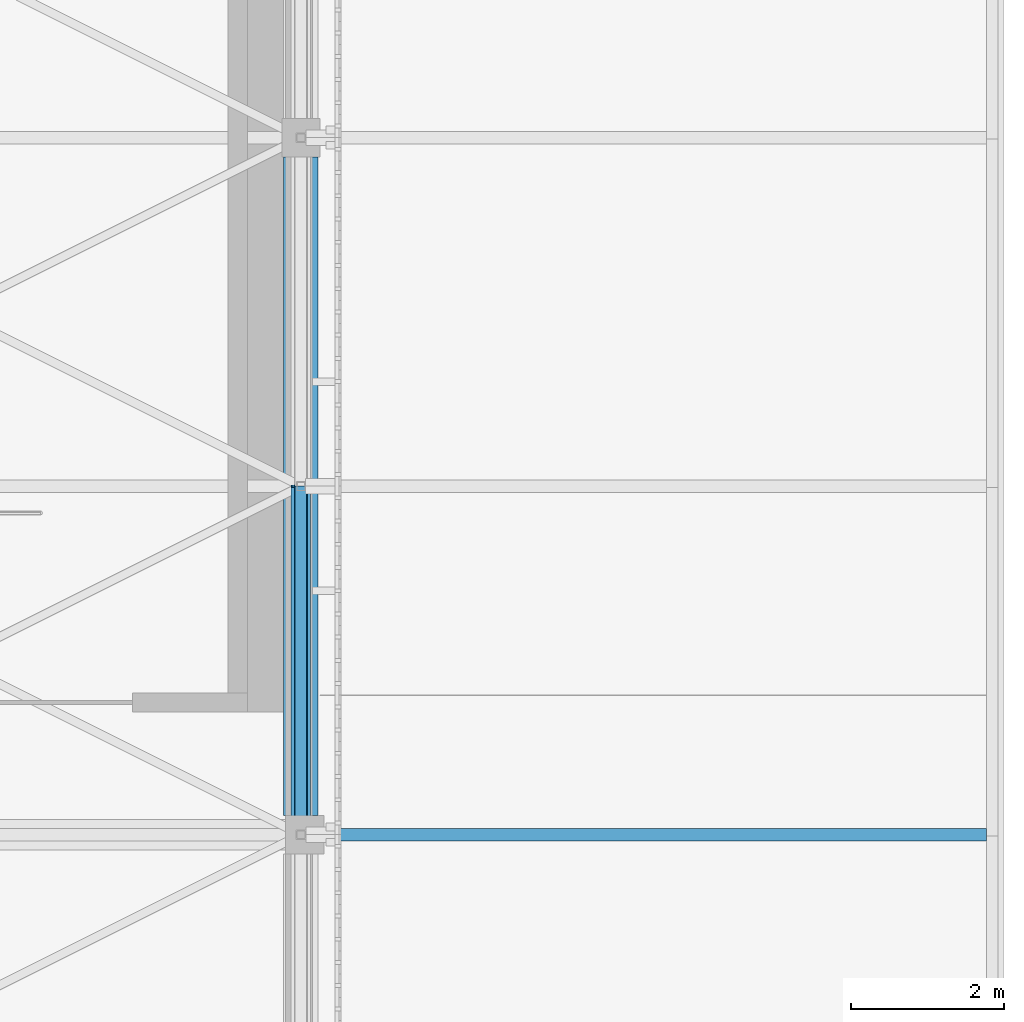
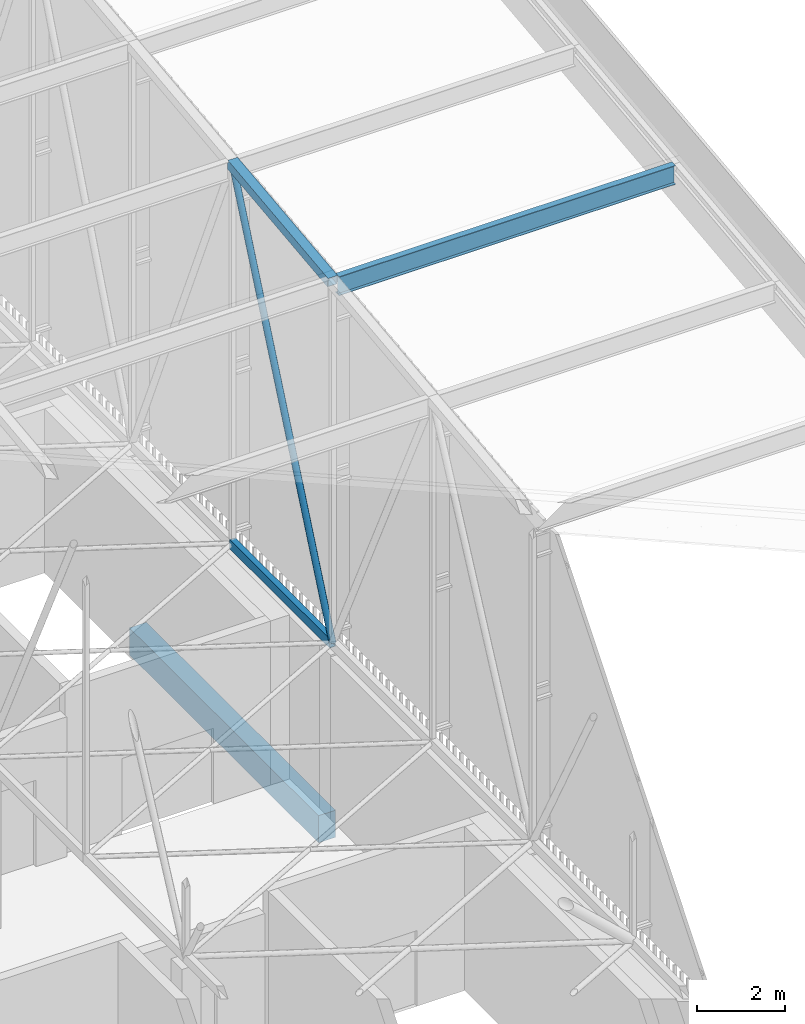
# One storey, part 346 of 500: 4 members, 1 beam.
"""IFC4 building model written with IfcOpenShell, lengths in metres."""

from ifc_helpers import new_model, si_unit, direction, frame, origin, origin_2d, place, context, subcontext, project, spatial, rectangle, hollow_rectangle, hollow_circle, i_section, extrude, material, material_profile, profile_set, type_object, element, save


model = new_model("IFC4")

# Units and contexts
model_context = context("Model", 3, precision=1e-05, world=origin(), true_north=direction((0.0, 1.0)))
body_context = subcontext(model_context, "Body", "Model", "MODEL_VIEW")
ifc_project = project(units=[si_unit("LENGTHUNIT", "METRE"), si_unit("AREAUNIT", "SQUARE_METRE"), si_unit("VOLUMEUNIT", "CUBIC_METRE"), si_unit("PLANEANGLEUNIT", "RADIAN"), si_unit("MASSUNIT", "GRAM", prefix="KILO")], contexts=[model_context])

# Site, building, storey
site_placement = place(None, origin())
site = spatial("IfcSite", under=ifc_project, at=site_placement, CompositionType="ELEMENT")
building_placement = place(site_placement, origin())
building = spatial("IfcBuilding", under=site, at=building_placement, Name="Shirokan Park Arena", CompositionType="ELEMENT")
storey_placement = place(building_placement, frame((0.0, 0.0, 29.1201171875)))
storey = spatial("IfcBuildingStorey", under=building, at=storey_placement, Name="L06", CompositionType="ELEMENT", Elevation=29.1201171875)

# Members
ifc_material_1 = material(Name="Steel ASTM A500 Grade C", Category="steel")
ifc_material_profile_1 = material_profile(ifc_material_1, hollow_rectangle(XDim=0.152099609375, YDim=0.25390625, WallThickness=0.009521484375, at=origin_2d()), Name="HSS254X152.4X9.5")
ifc_profile_set_1 = profile_set([ifc_material_profile_1], Name="Steel ASTM A500 Grade C")
member_type_1 = type_object("IfcMemberType", Name="Bottom chord HSS254X152.4X9.5", PredefinedType="CHORD", material=ifc_profile_set_1)
member_1_placement = place(storey_placement, frame((145.60009765625, 18.199951171875, 4.677001953125), z_axis=(0.0, 1.0, 0.0), x_axis=(-1.0, 0.0, 0.0)))
element("IfcMember", 1, at=member_1_placement, inside=storey, type_object=member_type_1, Name="Truss T17 bottom chord 7", PredefinedType="CHORD", context=body_context, shape_type="SweptSolid", body=[
    extrude(hollow_rectangle(XDim=0.152099609375, YDim=0.25390625, WallThickness=0.009521484375, at=origin_2d()), origin(), (0.0, 0.0, 1.0), 4.550048828125),
])
ifc_material_2 = material(Name="Steel ASTM A992", Category="steel")
ifc_material_profile_2 = material_profile(ifc_material_2, i_section(OverallWidth=0.166015625, OverallDepth=0.528076171875, WebThickness=0.009765625, FlangeThickness=0.013671875, at=origin_2d()), Name="W530X74")
ifc_profile_set_2 = profile_set([ifc_material_profile_2], Name="Steel ASTM A992")
member_type_2 = type_object("IfcMemberType", Name="Purlin W530X74", PredefinedType="PURLIN", material=ifc_profile_set_2)
member_2_placement = place(storey_placement, frame((145.72705078125, 18.199951171875, 14.56591796875), z_axis=(1.0, 0.0, 0.0), x_axis=(0.0, 1.0, 0.0)))
element("IfcMember", 2, at=member_2_placement, inside=storey, type_object=member_type_2, Name="Eave purlin east 7", PredefinedType="PURLIN", context=body_context, shape_type="SweptSolid", body=[
    extrude(i_section(OverallWidth=0.166015625, OverallDepth=0.528076171875, WebThickness=0.009765625, FlangeThickness=0.013671875, at=origin_2d()), origin(), (0.0, 0.0, 1.0), 8.824951171875),
])

# Beam
ifc_material_3 = material(Name="Concrete C35", Category="concrete")
ifc_material_profile_3 = material_profile(ifc_material_3, rectangle(XDim=0.449951171875, YDim=0.75, at=origin_2d()), Name="450x750")
ifc_profile_set_3 = profile_set([ifc_material_profile_3], Name="Concrete C35")
beam_type = type_object("IfcBeamType", Name="RC girder 450x750", PredefinedType="BEAM", material=ifc_profile_set_3)
beam_placement = place(storey_placement, frame((145.60009765625, 18.4501953125, -0.5751953125), z_axis=(0.0, 1.0, 0.0), x_axis=(-1.0, 0.0, 0.0)))
element("IfcBeam", 3, at=beam_placement, inside=storey, type_object=beam_type, Name="Girder 17C-17D L06", PredefinedType="BEAM", context=body_context, shape_type="SweptSolid", body=[
    extrude(rectangle(XDim=0.449951171875, YDim=0.75, at=origin_2d()), origin(), (0.0, 0.0, 1.0), 8.599609375),
])

# Members
ifc_material_profile_4 = material_profile(ifc_material_1, hollow_rectangle(XDim=0.25390625, YDim=0.25390625, WallThickness=0.009521484375, at=origin_2d()), Name="HSS254X254X9.5")
ifc_profile_set_4 = profile_set([ifc_material_profile_4], Name="Steel ASTM A500 Grade C")
member_type_3 = type_object("IfcMemberType", Name="Top chord HSS254X254X9.5", PredefinedType="CHORD", material=ifc_profile_set_4)
member_3_placement = place(storey_placement, frame((145.60009765625, 18.199951171875, 14.702880859375), z_axis=(0.0, 0.993532328996, 0.113549598152), x_axis=(-1.0, 0.0, 0.0)))
element("IfcMember", 4, at=member_3_placement, inside=storey, type_object=member_type_3, Name="Truss T17 top chord 7", PredefinedType="CHORD", context=body_context, shape_type="SweptSolid", body=[
    extrude(hollow_rectangle(XDim=0.25390625, YDim=0.25390625, WallThickness=0.009521484375, at=origin_2d()), origin(), (0.0, 0.0, 1.0), 4.57958984375),
])
ifc_material_profile_5 = material_profile(ifc_material_1, hollow_circle(Radius=0.083984375, WallThickness=0.009521484375, at=origin_2d()), Name="HSS168.3X9.5")
ifc_profile_set_5 = profile_set([ifc_material_profile_5], Name="Steel ASTM A500 Grade C")
member_type_4 = type_object("IfcMemberType", Name="Truss diagonal HSS168.3X9.5", PredefinedType="BRACE", material=ifc_profile_set_5)
member_4_placement = place(storey_placement, frame((145.60009765625, 18.199951171875, 4.677001953125), z_axis=(0.0, 0.396152605513, 0.918184683572), x_axis=(-1.0, 0.0, 0.0)))
element("IfcMember", 5, at=member_4_placement, inside=storey, type_object=member_type_4, Name="Truss T17 diagonal 7", PredefinedType="BRACE", context=body_context, shape_type="SweptSolid", body=[
    extrude(hollow_circle(Radius=0.083984375, WallThickness=0.009521484375, at=origin_2d()), origin(), (0.0, 0.0, 1.0), 11.485595703125),
])

save(model, "model.ifc")
